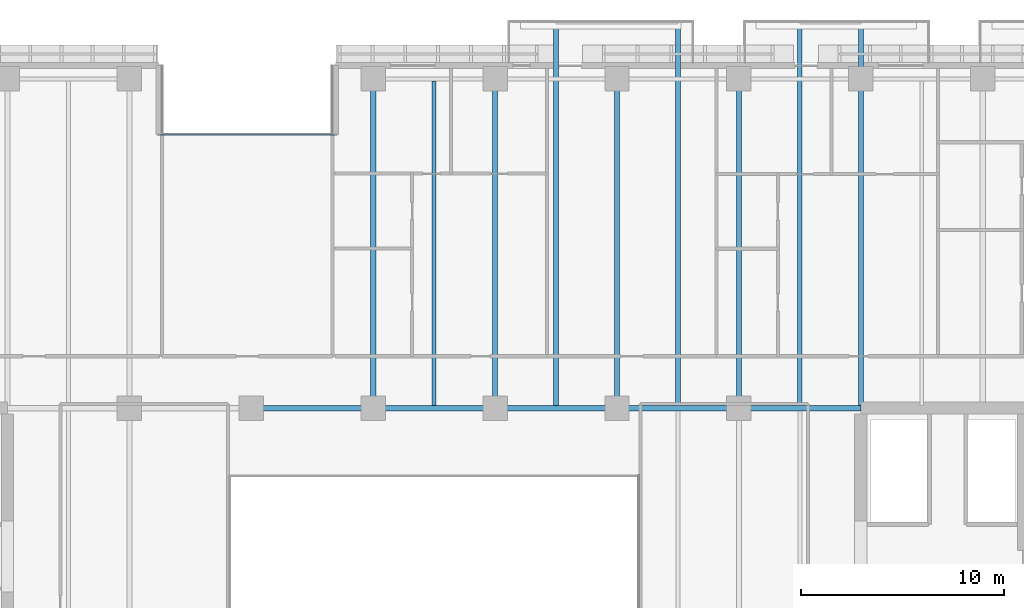
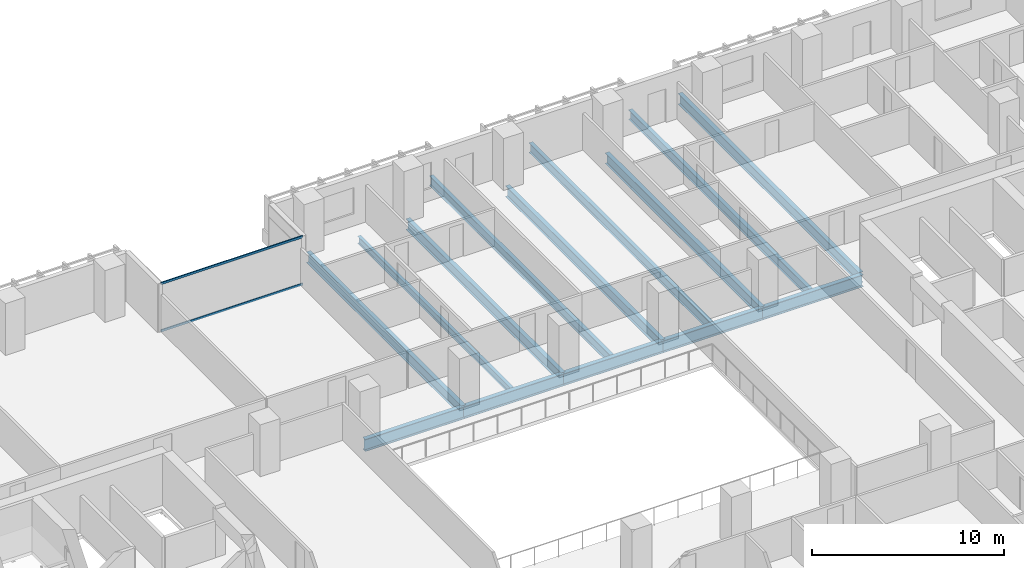
# One storey, part 11 of 33: 14 beams, 2 members, 1 element without a shape of its own.
"""IFC4 building model written with IfcOpenShell, lengths in metres."""

import ifcopenshell
import ifcopenshell.guid

model = None  # the IFC model being written
_history = None  # IfcOwnerHistory: only IFC2X3 demands one
_inside = {}  # id of a spatial element -> (the spatial element, [elements in it])
_under = {}  # id of a project, library or spatial element -> (it, [spatial elements below it])
_declared = {}  # id of a project -> (the project, [libraries it declares])
_typed = {}  # id of a type object -> (the type object, [elements of that type])
_made_of = {}  # id of a material, layer set ... -> (it, [elements and type objects made of it])


def new_model(schema):
    """Start an empty IFC model of exactly this schema.

    Asked for "IFC4X3", IfcOpenShell would pick the latest addendum, in which some entities
    have other attributes; the version numbers below select the first issue.
    IFC2X3 requires an IfcOwnerHistory on every rooted entity: one is made here for all.
    """
    global model, _history
    if schema == "IFC4X3":
        model = ifcopenshell.file(schema_version=(4, 3, 0, 0))
    else:
        model = ifcopenshell.file(schema=schema)
    _inside.clear()
    _under.clear()
    _declared.clear()
    _typed.clear()
    _made_of.clear()
    _history = None
    if model.schema == "IFC2X3":
        org = make("IfcOrganization", Name="unknown")
        user = make(
            "IfcPersonAndOrganization",
            ThePerson=make("IfcPerson", FamilyName="unknown"),
            TheOrganization=org,
        )
        app = make(
            "IfcApplication",
            ApplicationDeveloper=org,
            Version="unknown",
            ApplicationFullName="unknown",
            ApplicationIdentifier="unknown",
        )
        _history = make(
            "IfcOwnerHistory",
            OwningUser=user,
            OwningApplication=app,
            ChangeAction="ADDED",
            CreationDate=0,
        )
    return model


def make(cls, **values):
    """One entity of the class cls with the attributes given. An attribute that is None is left unset."""
    return model.create_entity(
        cls, **{name: value for name, value in values.items() if value is not None}
    )


def rooted(cls, **values):
    """An entity with a GlobalId (a new one), such as an element, a storey or a relation."""
    return make(cls, GlobalId=ifcopenshell.guid.new(), OwnerHistory=_history, **values)


def si_unit(unit_type, name, prefix=None):
    """IfcSIUnit, for example si_unit("LENGTHUNIT", "METRE", prefix="MILLI")."""
    return make("IfcSIUnit", UnitType=unit_type, Prefix=prefix, Name=name)


def assignment(units):
    """IfcUnitAssignment: the units of a project."""
    return None if units is None else make("IfcUnitAssignment", Units=units)


def point(xyz):
    """IfcCartesianPoint."""
    return None if xyz is None else make("IfcCartesianPoint", Coordinates=xyz)


def direction(xyz):
    """IfcDirection."""
    return None if xyz is None else make("IfcDirection", DirectionRatios=xyz)


def frame(location, z_axis=None, x_axis=None):
    """IfcAxis2Placement3D, a coordinate frame: its origin and axes. An axis left out is left unset."""
    return make(
        "IfcAxis2Placement3D",
        Location=point(location),
        Axis=direction(z_axis),
        RefDirection=direction(x_axis),
    )


def frame_2d(location, x_axis=None):
    """IfcAxis2Placement2D, a coordinate frame in the plane: its origin and x axis."""
    return make(
        "IfcAxis2Placement2D", Location=point(location), RefDirection=direction(x_axis)
    )


def origin():
    """The frame at (0, 0, 0) with its axes left unset."""
    return frame((0.0, 0.0, 0.0))


def origin_2d():
    """The frame at (0, 0) in the plane with its x axis left unset."""
    return frame_2d((0.0, 0.0))


def place(relative_to, where):
    """IfcLocalPlacement: puts the frame where relative to a parent placement (None: the world)."""
    return make(
        "IfcLocalPlacement", PlacementRelTo=relative_to, RelativePlacement=where
    )


def context(
    kind, dimensions, precision=None, world=None, true_north=None, identifier=None
):
    """IfcGeometricRepresentationContext, for example the 3D "Model" context."""
    return make(
        "IfcGeometricRepresentationContext",
        ContextIdentifier=identifier,
        ContextType=kind,
        CoordinateSpaceDimension=dimensions,
        Precision=precision,
        WorldCoordinateSystem=world,
        TrueNorth=true_north,
    )


def subcontext(parent, identifier, kind, view, scale=None):
    """IfcGeometricRepresentationSubContext, for example "Body" below "Model"."""
    return make(
        "IfcGeometricRepresentationSubContext",
        ContextIdentifier=identifier,
        ContextType=kind,
        ParentContext=parent,
        TargetScale=scale,
        TargetView=view,
    )


def project(units=None, contexts=None):
    """IfcProject with its units and contexts."""
    return rooted(
        "IfcProject",
        Name="project",
        RepresentationContexts=contexts,
        UnitsInContext=assignment(units),
    )


def spatial(cls, under=None, at=None, **own):
    """A site, building, storey or space (cls), placed at a placement, below another one or the project."""
    s = rooted(cls, ObjectPlacement=at, **own)
    if under is not None:
        _under.setdefault(under.id(), (under, []))[1].append(s)
    return s


def profile(cls, at=None, kind="AREA", **sizes):
    """A parametric profile (cls). Its sizes go by their IFC names, for example OverallWidth=200.0."""
    return make(cls, ProfileType=kind, Position=at, **sizes)


def hollow_rectangle(**sizes):
    """IfcRectangleHollowProfileDef."""
    return profile("IfcRectangleHollowProfileDef", **sizes)


def i_section(**sizes):
    """IfcIShapeProfileDef."""
    return profile("IfcIShapeProfileDef", **sizes)


def extrude(swept, where, along, depth):
    """IfcExtrudedAreaSolid: the profile swept, set in the frame where, extruded along a direction by depth."""
    return make(
        "IfcExtrudedAreaSolid",
        SweptArea=swept,
        Position=where,
        ExtrudedDirection=direction(along),
        Depth=depth,
    )


def shape(context_of_items, identifier, shape_type, items):
    """IfcShapeRepresentation: the items that make up one representation, for example the "Body"."""
    return make(
        "IfcShapeRepresentation",
        ContextOfItems=context_of_items,
        RepresentationIdentifier=identifier,
        RepresentationType=shape_type,
        Items=items,
    )


def material(Name=None, Category=None):
    """IfcMaterial."""
    return make("IfcMaterial", Name=Name, Category=Category)


def layer(
    of_material, thickness, ventilated=None, Name=None, Category=None, Priority=None
):
    """IfcMaterialLayer: one layer of a wall or slab, of a material (None: an air gap)."""
    return make(
        "IfcMaterialLayer",
        Material=of_material,
        LayerThickness=thickness,
        IsVentilated=ventilated,
        Name=Name,
        Category=Category,
        Priority=Priority,
    )


def layer_set(layers, Name=None):
    """IfcMaterialLayerSet."""
    return make("IfcMaterialLayerSet", MaterialLayers=layers, LayerSetName=Name)


def material_profile(
    of_material, cross_section, Name=None, Category=None, Priority=None
):
    """IfcMaterialProfile: a cross section and its material."""
    return make(
        "IfcMaterialProfile",
        Name=Name,
        Material=of_material,
        Profile=cross_section,
        Priority=Priority,
        Category=Category,
    )


def profile_set(profiles, Name=None, composite=None):
    """IfcMaterialProfileSet."""
    return make(
        "IfcMaterialProfileSet",
        Name=Name,
        MaterialProfiles=profiles,
        CompositeProfile=composite,
    )


def made_of(thing, what):
    """Note that an element or type object is made of a material, layer set ...; save() writes the relation."""
    if what is not None:
        _made_of.setdefault(what.id(), (what, []))[1].append(thing)
    return thing


def type_object(cls, material=None, **own):
    """A type object (cls), such as IfcWallType, which elements share."""
    return made_of(rooted(cls, **own), material)


def element(
    cls,
    number,
    at=None,
    inside=None,
    cuts=None,
    type_object=None,
    material=None,
    context=None,
    identifier="Body",
    shape_type=None,
    held_by="IfcProductDefinitionShape",
    body=None,
    shapes=None,
    **own,
):
    """One element of the class cls, such as IfcWall. Its Tag is "e" and its number.

    at: its placement. inside: the storey or other place that contains it. cuts: it is an
    opening in that element (IfcRelVoidsElement). A single representation is given by context,
    identifier, shape_type and body (its items); several are given by shapes. held_by: the class
    of the entity that holds the representations. save() writes the other relations.
    """
    e = rooted(cls, Tag="e%d" % number, ObjectPlacement=at, **own)
    if body is not None:
        shapes = [shape(context, identifier, shape_type, body)]
    if shapes is not None:
        e.Representation = make(held_by, Representations=shapes)
    if inside is not None:
        _inside.setdefault(inside.id(), (inside, []))[1].append(e)
    if cuts is not None:
        rooted(
            "IfcRelVoidsElement", RelatingBuildingElement=cuts, RelatedOpeningElement=e
        )
    if type_object is not None:
        _typed.setdefault(type_object.id(), (type_object, []))[1].append(e)
    return made_of(e, material)


def aggregate(whole, parts):
    """IfcRelAggregates: a whole, such as a stair, and the parts it consists of."""
    return rooted("IfcRelAggregates", RelatingObject=whole, RelatedObjects=parts)


def save(model, path):
    """Write the relations noted so far, then the file.

    IfcRelAggregates (storeys below a building ...), IfcRelContainedInSpatialStructure (elements
    in a storey), IfcRelDefinesByType, IfcRelAssociatesMaterial and IfcRelDeclares: one each for
    every whole, place, type object, material and project.
    """
    for whole, parts in _under.values():
        aggregate(whole, parts)
    for where, things in _inside.values():
        rooted(
            "IfcRelContainedInSpatialStructure",
            RelatedElements=things,
            RelatingStructure=where,
        )
    for kind, things in _typed.values():
        rooted("IfcRelDefinesByType", RelatedObjects=things, RelatingType=kind)
    for what, things in _made_of.values():
        rooted("IfcRelAssociatesMaterial", RelatedObjects=things, RelatingMaterial=what)
    for by, libraries in _declared.values():
        rooted("IfcRelDeclares", RelatingContext=by, RelatedDefinitions=libraries)
    model.write(path)


model = new_model("IFC4")

# Units and contexts
model_context = context("Model", 3, precision=1e-05, world=origin(), true_north=direction((0.0, 1.0)))
body_context = subcontext(model_context, "Body", "Model", "MODEL_VIEW")
ifc_project = project(units=[si_unit("LENGTHUNIT", "METRE"), si_unit("AREAUNIT", "SQUARE_METRE"), si_unit("VOLUMEUNIT", "CUBIC_METRE"), si_unit("PLANEANGLEUNIT", "RADIAN"), si_unit("MASSUNIT", "GRAM", prefix="KILO")], contexts=[model_context])

# Site, building, storey
site_placement = place(None, origin())
site = spatial("IfcSite", under=ifc_project, at=site_placement, CompositionType="ELEMENT")
building_placement = place(site_placement, origin())
building = spatial("IfcBuilding", under=site, at=building_placement, Name="Tanjung Sevakor Pilgrim Tower", CompositionType="ELEMENT")
storey_placement = place(building_placement, frame((0.0, 0.0, 52.139892578125)))
storey = spatial("IfcBuildingStorey", under=building, at=storey_placement, Name="L14", CompositionType="ELEMENT", Elevation=52.139892578125)

# Beams
ifc_material_1 = material(Name="Steel S355J2", Category="steel")
ifc_material_profile_1 = material_profile(ifc_material_1, i_section(OverallWidth=0.26806640625, OverallDepth=0.769775390625, WebThickness=0.015625, FlangeThickness=0.025390625, FilletRadius=0.0166015625, at=origin_2d()))
ifc_profile_set_1 = profile_set([ifc_material_profile_1], Name="Steel S355J2")
beam_type_1 = type_object("IfcBeamType", Name="BM-B-G1-UB_762x267x197", PredefinedType="BEAM", material=ifc_profile_set_1)
for number, where, z_axis, x_axis, name in (
    (1, (48.0, 42.60009765625, -0.604736328125), (1.0, 0.0, 0.0), (0.0, 1.0, 0.0), "L14 Primary Floor Girder MAIN Y426-04"),
    (2, (54.0, 42.60009765625, -0.604736328125), (1.0, 0.0, 0.0), (0.0, 1.0, 0.0), "L14 Primary Floor Girder MAIN Y426-05"),
    (3, (60.0, 42.60009765625, -0.604736328125), (1.0, 0.0, 0.0), (0.0, 1.0, 0.0), "L14 Primary Floor Girder MAIN Y426-06"),
    (4, (66.0, 42.60009765625, -0.604736328125), (1.0, 0.0, 0.0), (0.0, 1.0, 0.0), "L14 Primary Floor Girder MAIN Y426-07"),
    (5, (72.0, 42.60009765625, -0.604736328125), (1.0, 0.0, 0.0), (0.0, 1.0, 0.0), "L14 Primary Floor Girder MAIN Y426-08"),
):
    element("IfcBeam", number, at=place(storey_placement, frame(where, z_axis=z_axis, x_axis=x_axis)), inside=storey, type_object=beam_type_1, Name=name, PredefinedType="BEAM", context=body_context, shape_type="SweptSolid", body=[
        extrude(i_section(OverallWidth=0.26806640625, OverallDepth=0.769775390625, WebThickness=0.015625, FlangeThickness=0.025390625, FilletRadius=0.0166015625, at=origin_2d()), origin(), (0.0, 0.0, 1.0), 6.0),
    ])
ifc_material_2 = material(Name="Steel S355J2", Category="steel")
ifc_material_profile_2 = material_profile(ifc_material_2, i_section(OverallWidth=0.25439453125, OverallDepth=0.6875, WebThickness=0.01318359375, FlangeThickness=0.02099609375, FilletRadius=0.01513671875, at=origin_2d()))
ifc_profile_set_2 = profile_set([ifc_material_profile_2], Name="Steel S355J2")
beam_type_2 = type_object("IfcBeamType", Name="BM-B-G2-UB_686x254x152", PredefinedType="BEAM", material=ifc_profile_set_2)
for number, where, z_axis, x_axis, name in (
    (6, (54.0, 42.60009765625, -0.5634765625), (0.0, 1.0, 0.0), (-1.0, 0.0, 0.0), "L14 MAIN Girder 014"),
    (7, (60.0, 42.60009765625, -0.5634765625), (0.0, 1.0, 0.0), (-1.0, 0.0, 0.0), "L14 MAIN Girder 018"),
    (8, (66.0, 42.60009765625, -0.5634765625), (0.0, 1.0, 0.0), (-1.0, 0.0, 0.0), "L14 MAIN Girder 020"),
    (9, (72.0, 42.60009765625, -0.5634765625), (0.0, 1.0, 0.0), (-1.0, 0.0, 0.0), "L14 MAIN Girder 024"),
):
    element("IfcBeam", number, at=place(storey_placement, frame(where, z_axis=z_axis, x_axis=x_axis)), inside=storey, type_object=beam_type_2, Name=name, PredefinedType="BEAM", context=body_context, shape_type="SweptSolid", body=[
        extrude(i_section(OverallWidth=0.25439453125, OverallDepth=0.6875, WebThickness=0.01318359375, FlangeThickness=0.02099609375, FilletRadius=0.01513671875, at=origin_2d()), origin(), (0.0, 0.0, 1.0), 16.199951171875),
    ])
beam_1_placement = place(storey_placement, frame((78.0, 42.73388671875, -0.5634765625), z_axis=(0.0, 1.0, 0.0), x_axis=(-1.0, 0.0, 0.0)))
element("IfcBeam", 10, at=beam_1_placement, inside=storey, type_object=beam_type_2, Name="L14 Balcony Cantilever Beam MAIN-N3-2", PredefinedType="BEAM", context=body_context, shape_type="SweptSolid", body=[
    extrude(i_section(OverallWidth=0.25439453125, OverallDepth=0.6875, WebThickness=0.01318359375, FlangeThickness=0.02099609375, FilletRadius=0.01513671875, at=origin_2d()), origin(), (0.0, 0.0, 1.0), 18.84619140625),
])
ifc_material_3 = material(Name="Steel S355J2", Category="steel")
ifc_material_profile_3 = material_profile(ifc_material_3, i_section(OverallWidth=0.22900390625, OverallDepth=0.6123046875, WebThickness=0.011962890625, FlangeThickness=0.01953125, FilletRadius=0.0126953125, at=origin_2d()))
ifc_profile_set_3 = profile_set([ifc_material_profile_3], Name="Steel S355J2")
beam_type_3 = type_object("IfcBeamType", Name="BM-B-G4-UB_610x229x125", PredefinedType="BEAM", material=ifc_profile_set_3)
for number, where, z_axis, x_axis, name in (
    (11, (63.0, 42.73388671875, -0.52587890625), (0.0, 1.0, 0.0), (-1.0, 0.0, 0.0), "L14 Balcony Cantilever Beam MAIN-N2-1"),
    (12, (69.0, 42.73388671875, -0.52587890625), (0.0, 1.0, 0.0), (-1.0, 0.0, 0.0), "L14 Balcony Cantilever Beam MAIN-N2-2"),
    (13, (75.0, 42.73388671875, -0.52587890625), (0.0, 1.0, 0.0), (-1.0, 0.0, 0.0), "L14 Balcony Cantilever Beam MAIN-N3-1"),
):
    element("IfcBeam", number, at=place(storey_placement, frame(where, z_axis=z_axis, x_axis=x_axis)), inside=storey, type_object=beam_type_3, Name=name, PredefinedType="BEAM", context=body_context, shape_type="SweptSolid", body=[
        extrude(i_section(OverallWidth=0.22900390625, OverallDepth=0.6123046875, WebThickness=0.011962890625, FlangeThickness=0.01953125, FilletRadius=0.0126953125, at=origin_2d()), origin(), (0.0, 0.0, 1.0), 18.84619140625),
    ])
ifc_material_4 = material(Name="Steel S355J2", Category="steel")
ifc_material_profile_4 = material_profile(ifc_material_4, i_section(OverallWidth=0.19140625, OverallDepth=0.4599609375, WebThickness=0.010009765625, FlangeThickness=0.01611328125, FilletRadius=0.01025390625, at=origin_2d()))
ifc_profile_set_4 = profile_set([ifc_material_profile_4], Name="Steel S355J2")
beam_type_4 = type_object("IfcBeamType", Name="BM-B-J2-UB_457x191x82", PredefinedType="JOIST", material=ifc_profile_set_4)
beam_2_placement = place(storey_placement, frame((57.0, 42.73388671875, -0.449951171875), z_axis=(0.0, 1.0, 0.0), x_axis=(-1.0, 0.0, 0.0)))
element("IfcBeam", 14, at=beam_2_placement, inside=storey, type_object=beam_type_4, Name="L14 MAIN Joist 016", PredefinedType="JOIST", context=body_context, shape_type="SweptSolid", body=[
    extrude(i_section(OverallWidth=0.19140625, OverallDepth=0.4599609375, WebThickness=0.010009765625, FlangeThickness=0.01611328125, FilletRadius=0.01025390625, at=origin_2d()), origin(), (0.0, 0.0, 1.0), 15.966064453125),
])

# Curtain wall, members
ifc_material_5 = material(Name="Aluminium 6063-T6 and Low-E Glass", Category="aluminium")
ifc_layer = layer(ifc_material_5, 0.179931640625)
ifc_layer_set = layer_set([ifc_layer], Name="CW-SYS-CLEFT")
curtain_wall_type = type_object("IfcCurtainWallType", Name="CW-SYS-CLEFT", PredefinedType="NOTDEFINED", material=ifc_layer_set)
curtain_wall_placement = place(storey_placement, origin())
curtain_wall = element("IfcCurtainWall", 15, at=curtain_wall_placement, inside=storey, type_object=curtain_wall_type, Name="L14 Curtain Wall CW-CLF-L14-10", PredefinedType="NOTDEFINED")
ifc_material_6 = material(Name="Aluminium 6063-T6", Category="aluminium")
ifc_material_profile_5 = material_profile(ifc_material_6, hollow_rectangle(XDim=0.06494140625, YDim=0.139892578125, WallThickness=0.00390625, at=origin_2d()))
ifc_profile_set_5 = profile_set([ifc_material_profile_5], Name="Aluminium 6063-T6")
member_type = type_object("IfcMemberType", Name="TYPE-CWT-1", PredefinedType="USERDEFINED", material=ifc_profile_set_5)
member_1_placement = place(storey_placement, frame((52.06494140625, 56.06005859375, 0.03271484375), z_axis=(-1.0, 0.0, 0.0), x_axis=(0.0, -1.0, 0.0)))
member_1 = element("IfcMember", 16, at=member_1_placement, type_object=member_type, Name="CW-CLF transom 1.1", ObjectType="TRANSOM", PredefinedType="USERDEFINED", context=body_context, shape_type="SweptSolid", body=[
    extrude(hollow_rectangle(XDim=0.06494140625, YDim=0.139892578125, WallThickness=0.00390625, at=origin_2d()), origin(), (0.0, 0.0, 1.0), 8.530029296875),
])
member_2_placement = place(storey_placement, frame((52.06494140625, 56.06005859375, 3.047607421875), z_axis=(-1.0, 0.0, 0.0), x_axis=(0.0, -1.0, 0.0)))
member_2 = element("IfcMember", 17, at=member_2_placement, type_object=member_type, Name="CW-CLF transom 1.2", ObjectType="TRANSOM", PredefinedType="USERDEFINED", context=body_context, shape_type="SweptSolid", body=[
    extrude(hollow_rectangle(XDim=0.06494140625, YDim=0.139892578125, WallThickness=0.00390625, at=origin_2d()), origin(), (0.0, 0.0, 1.0), 8.530029296875),
])
aggregate(curtain_wall, [member_1, member_2])

save(model, "model.ifc")
